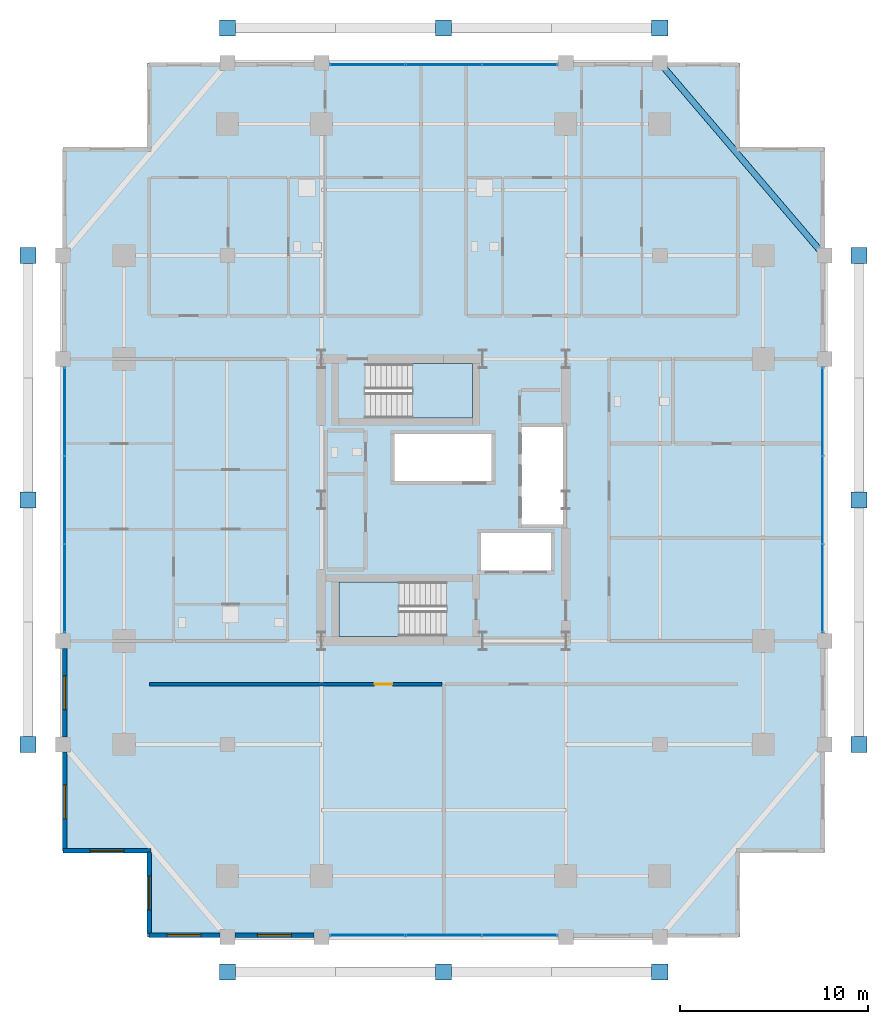
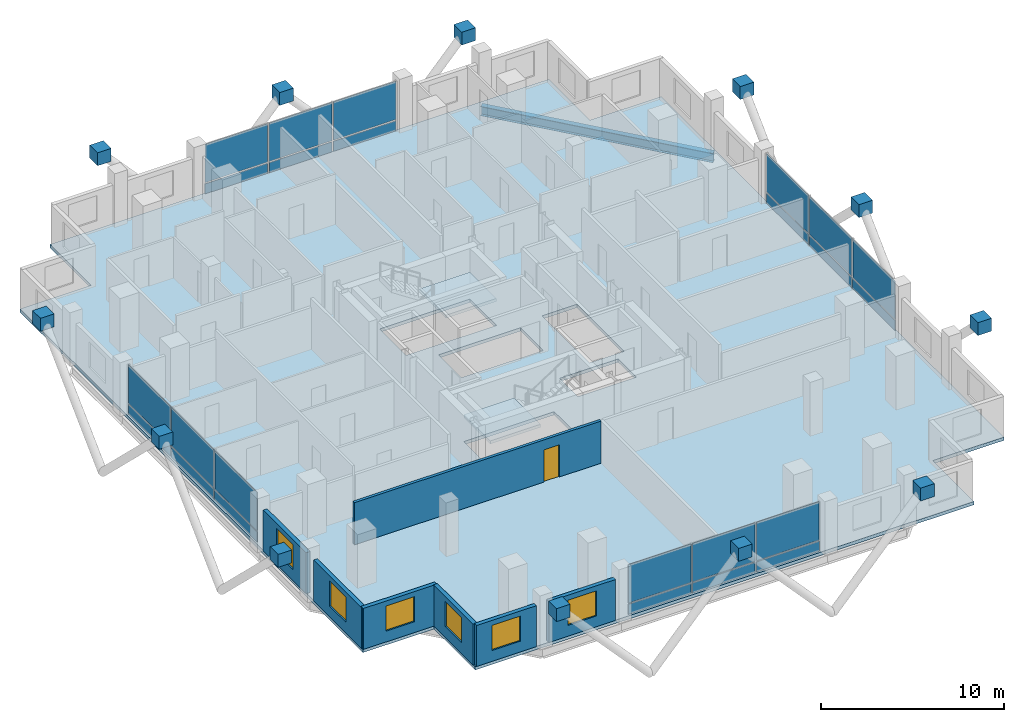
# One storey, part 16 of 22: 36 plates, 7 walls, 6 windows, 3 slabs, 1 beam, 1 door, 7 openings, 6 elements without a shape of their own.
"""IFC4 building model written with IfcOpenShell, lengths in metres."""

from ifc_helpers import new_model, si_unit, direction, frame, frame_2d, origin, origin_2d, place, context, subcontext, project, spatial, polyline, rectangle, i_section, outline, extrude, material, layer, layer_set, material_profile, profile_set, type_object, element, fill, aggregate, save


model = new_model("IFC4")

# Units and contexts
model_context = context("Model", 3, precision=1e-05, world=origin(), true_north=direction((0.0, 1.0)))
body_context = subcontext(model_context, "Body", "Model", "MODEL_VIEW")
ifc_project = project(units=[si_unit("LENGTHUNIT", "METRE"), si_unit("AREAUNIT", "SQUARE_METRE"), si_unit("VOLUMEUNIT", "CUBIC_METRE"), si_unit("PLANEANGLEUNIT", "RADIAN"), si_unit("MASSUNIT", "GRAM", prefix="KILO")], contexts=[model_context])

# Site, building, storey
site_placement = place(None, origin())
site = spatial("IfcSite", under=ifc_project, at=site_placement, CompositionType="ELEMENT")
building_placement = place(site_placement, origin())
building = spatial("IfcBuilding", under=site, at=building_placement, Name="Barlavira Tower and Art Museum", CompositionType="ELEMENT")
storey_placement = place(building_placement, frame((0.0, 0.0, 129.60009765625)))
storey = spatial("IfcBuildingStorey", under=building, at=storey_placement, Name="L32", CompositionType="ELEMENT", Elevation=129.60009765625)

# Beam
ifc_material_1 = material(Name="Steel S355", Category="steel")
ifc_material_profile = material_profile(ifc_material_1, i_section(OverallWidth=0.327880859375, OverallDepth=0.62890625, WebThickness=0.013916015625, FlangeThickness=0.021484375, at=origin_2d()), Name="W610x174.0")
ifc_profile_set = profile_set([ifc_material_profile], Name="Steel S355")
beam_type = type_object("IfcBeamType", Name="Perimeter Spandrel Edge Beam W610x174 Steel S355", PredefinedType="SPANDREL", material=ifc_profile_set)
beam_placement = place(storey_placement, frame((20.25, 13.0, -0.53466796875), z_axis=(-0.649262379928, 0.760564502202, 0.0), x_axis=(-0.760564502202, -0.649262379928, 0.0)))
element("IfcBeam", 1, at=beam_placement, inside=storey, type_object=beam_type, Name="L32 Spandrel 8", PredefinedType="SPANDREL", context=body_context, shape_type="SweptSolid", body=[
    extrude(i_section(OverallWidth=0.327880859375, OverallDepth=0.62890625, WebThickness=0.013916015625, FlangeThickness=0.021484375, at=origin_2d()), origin(), (0.0, 0.0, 1.0), 13.476806640625),
])

# Curtain wall, plates
ifc_material_2 = material(Name="Low-iron coastal laminated glass", Category="glass")
ifc_layer_1 = layer(ifc_material_2, 0.18994140625, Name="Low-iron coastal laminated glass")
ifc_layer_set_1 = layer_set([ifc_layer_1], Name="Low-iron coastal laminated glass")
curtain_wall_type = type_object("IfcCurtainWallType", Name="Pale-Metal Unitised Curtain Wall Zone 2", PredefinedType="NOTDEFINED", material=ifc_layer_set_1)
curtain_wall_1_placement = place(storey_placement, origin())
curtain_wall_1 = element("IfcCurtainWall", 2, at=curtain_wall_1_placement, inside=storey, type_object=curtain_wall_type, Name="L32 Curtain Wall CW2-L32-S-B3", PredefinedType="NOTDEFINED")
ifc_material_3 = material(Name="Pale anodised aluminium", Category="aluminium")
ifc_layer_2 = layer(ifc_material_3, 0.044921875, Name="Pale anodised aluminium")
ifc_layer_set_2 = layer_set([ifc_layer_2], Name="Pale anodised aluminium")
plate_type_1 = type_object("IfcPlateType", Name="Curtain Wall Pale-Metal Spandrel Panel 45", PredefinedType="CURTAIN_PANEL", material=ifc_layer_set_2)
plate_1_placement = place(storey_placement, frame((-4.05322265625, -23.14990234375, 0.039794921875), z_axis=(0.0, 0.0, 1.0), x_axis=(1.0, 0.0, 0.0)))
plate_1 = element("IfcPlate", 3, at=plate_1_placement, type_object=plate_type_1, Name="CW2-L32-S-B3 Spandrel Panel 0", PredefinedType="CURTAIN_PANEL", context=body_context, shape_type="SweptSolid", body=[
    extrude(rectangle(XDim=3.953369140625, YDim=0.044921875, at=origin_2d()), origin(), (0.0, 0.0, 1.0), 0.6640625),
])
plate_2_placement = place(storey_placement, frame((0.0, -23.14990234375, 0.039794921875), z_axis=(0.0, 0.0, 1.0), x_axis=(1.0, 0.0, 0.0)))
plate_2 = element("IfcPlate", 4, at=plate_2_placement, type_object=plate_type_1, Name="CW2-L32-S-B3 Spandrel Panel 1", PredefinedType="CURTAIN_PANEL", context=body_context, shape_type="SweptSolid", body=[
    extrude(rectangle(XDim=3.953369140625, YDim=0.044921875, at=origin_2d()), origin(), (0.0, 0.0, 1.0), 0.6640625),
])
plate_3_placement = place(storey_placement, frame((4.05322265625, -23.14990234375, 0.039794921875), z_axis=(0.0, 0.0, 1.0), x_axis=(1.0, 0.0, 0.0)))
plate_3 = element("IfcPlate", 5, at=plate_3_placement, type_object=plate_type_1, Name="CW2-L32-S-B3 Spandrel Panel 2", PredefinedType="CURTAIN_PANEL", context=body_context, shape_type="SweptSolid", body=[
    extrude(rectangle(XDim=3.953369140625, YDim=0.044921875, at=origin_2d()), origin(), (0.0, 0.0, 1.0), 0.6640625),
])

curtain_wall_2_placement = place(storey_placement, origin())
curtain_wall_2 = element("IfcCurtainWall", 6, at=curtain_wall_2_placement, inside=storey, type_object=curtain_wall_type, Name="L32 Curtain Wall CW2-L32-N-B3", PredefinedType="NOTDEFINED")
plate_4_placement = place(storey_placement, frame((4.05322265625, 23.14990234375, 0.039794921875), z_axis=(0.0, 0.0, 1.0), x_axis=(-1.0, 0.0, 0.0)))
plate_4 = element("IfcPlate", 7, at=plate_4_placement, type_object=plate_type_1, Name="CW2-L32-N-B3 Spandrel Panel 0", PredefinedType="CURTAIN_PANEL", context=body_context, shape_type="SweptSolid", body=[
    extrude(rectangle(XDim=3.953369140625, YDim=0.044921875, at=origin_2d()), origin(), (0.0, 0.0, 1.0), 0.6640625),
])
plate_5_placement = place(storey_placement, frame((0.0, 23.14990234375, 0.039794921875), z_axis=(0.0, 0.0, 1.0), x_axis=(-1.0, 0.0, 0.0)))
plate_5 = element("IfcPlate", 8, at=plate_5_placement, type_object=plate_type_1, Name="CW2-L32-N-B3 Spandrel Panel 1", PredefinedType="CURTAIN_PANEL", context=body_context, shape_type="SweptSolid", body=[
    extrude(rectangle(XDim=3.953369140625, YDim=0.044921875, at=origin_2d()), origin(), (0.0, 0.0, 1.0), 0.6640625),
])
plate_6_placement = place(storey_placement, frame((-4.05322265625, 23.14990234375, 0.039794921875), z_axis=(0.0, 0.0, 1.0), x_axis=(-1.0, 0.0, 0.0)))
plate_6 = element("IfcPlate", 9, at=plate_6_placement, type_object=plate_type_1, Name="CW2-L32-N-B3 Spandrel Panel 2", PredefinedType="CURTAIN_PANEL", context=body_context, shape_type="SweptSolid", body=[
    extrude(rectangle(XDim=3.953369140625, YDim=0.044921875, at=origin_2d()), origin(), (0.0, 0.0, 1.0), 0.6640625),
])

curtain_wall_3_placement = place(storey_placement, origin())
curtain_wall_3 = element("IfcCurtainWall", 10, at=curtain_wall_3_placement, inside=storey, type_object=curtain_wall_type, Name="L32 Curtain Wall CW2-L32-W-B3", PredefinedType="NOTDEFINED")
plate_7_placement = place(storey_placement, frame((-20.14990234375, 4.719970703125, 0.039794921875), z_axis=(0.0, 0.0, 1.0), x_axis=(0.0, -1.0, 0.0)))
plate_7 = element("IfcPlate", 11, at=plate_7_placement, type_object=plate_type_1, Name="CW2-L32-W-B3 Spandrel Panel 0", PredefinedType="CURTAIN_PANEL", context=body_context, shape_type="SweptSolid", body=[
    extrude(rectangle(XDim=4.6201171875, YDim=0.044921875, at=origin_2d()), origin(), (0.0, 0.0, 1.0), 0.6640625),
])
plate_8_placement = place(storey_placement, frame((-20.14990234375, 0.0, 0.039794921875), z_axis=(0.0, 0.0, 1.0), x_axis=(0.0, -1.0, 0.0)))
plate_8 = element("IfcPlate", 12, at=plate_8_placement, type_object=plate_type_1, Name="CW2-L32-W-B3 Spandrel Panel 1", PredefinedType="CURTAIN_PANEL", context=body_context, shape_type="SweptSolid", body=[
    extrude(rectangle(XDim=4.6201171875, YDim=0.044921875, at=origin_2d()), origin(), (0.0, 0.0, 1.0), 0.6640625),
])
plate_9_placement = place(storey_placement, frame((-20.14990234375, -4.719970703125, 0.039794921875), z_axis=(0.0, 0.0, 1.0), x_axis=(0.0, -1.0, 0.0)))
plate_9 = element("IfcPlate", 13, at=plate_9_placement, type_object=plate_type_1, Name="CW2-L32-W-B3 Spandrel Panel 2", PredefinedType="CURTAIN_PANEL", context=body_context, shape_type="SweptSolid", body=[
    extrude(rectangle(XDim=4.6201171875, YDim=0.044921875, at=origin_2d()), origin(), (0.0, 0.0, 1.0), 0.6640625),
])

curtain_wall_4_placement = place(storey_placement, origin())
curtain_wall_4 = element("IfcCurtainWall", 14, at=curtain_wall_4_placement, inside=storey, type_object=curtain_wall_type, Name="L32 Curtain Wall CW2-L32-E-B3", PredefinedType="NOTDEFINED")
plate_10_placement = place(storey_placement, frame((20.14990234375, -4.719970703125, 0.039794921875), z_axis=(0.0, 0.0, 1.0), x_axis=(0.0, 1.0, 0.0)))
plate_10 = element("IfcPlate", 15, at=plate_10_placement, type_object=plate_type_1, Name="CW2-L32-E-B3 Spandrel Panel 0", PredefinedType="CURTAIN_PANEL", context=body_context, shape_type="SweptSolid", body=[
    extrude(rectangle(XDim=4.6201171875, YDim=0.044921875, at=origin_2d()), origin(), (0.0, 0.0, 1.0), 0.6640625),
])
plate_11_placement = place(storey_placement, frame((20.14990234375, 0.0, 0.039794921875), z_axis=(0.0, 0.0, 1.0), x_axis=(0.0, 1.0, 0.0)))
plate_11 = element("IfcPlate", 16, at=plate_11_placement, type_object=plate_type_1, Name="CW2-L32-E-B3 Spandrel Panel 1", PredefinedType="CURTAIN_PANEL", context=body_context, shape_type="SweptSolid", body=[
    extrude(rectangle(XDim=4.6201171875, YDim=0.044921875, at=origin_2d()), origin(), (0.0, 0.0, 1.0), 0.6640625),
])
plate_12_placement = place(storey_placement, frame((20.14990234375, 4.719970703125, 0.039794921875), z_axis=(0.0, 0.0, 1.0), x_axis=(0.0, 1.0, 0.0)))
plate_12 = element("IfcPlate", 17, at=plate_12_placement, type_object=plate_type_1, Name="CW2-L32-E-B3 Spandrel Panel 2", PredefinedType="CURTAIN_PANEL", context=body_context, shape_type="SweptSolid", body=[
    extrude(rectangle(XDim=4.6201171875, YDim=0.044921875, at=origin_2d()), origin(), (0.0, 0.0, 1.0), 0.6640625),
])

# Plate
ifc_layer_3 = layer(ifc_material_2, 0.028076171875, Name="Low-iron coastal laminated glass")
ifc_layer_set_3 = layer_set([ifc_layer_3], Name="Low-iron coastal laminated glass")
plate_type_2 = type_object("IfcPlateType", Name="Curtain Wall Vision Glazing Panel 28", PredefinedType="CURTAIN_PANEL", material=ifc_layer_set_3)
plate_13_placement = place(storey_placement, frame((-4.05322265625, -23.14990234375, 0.7841796875), z_axis=(0.0, 0.0, 1.0), x_axis=(1.0, 0.0, 0.0)))
plate_13 = element("IfcPlate", 18, at=plate_13_placement, type_object=plate_type_2, Name="CW2-L32-S-B3 Vision Glass Panel 0", PredefinedType="CURTAIN_PANEL", context=body_context, shape_type="SweptSolid", body=[
    extrude(rectangle(XDim=3.953369140625, YDim=0.028076171875, at=origin_2d()), origin(), (0.0, 0.0, 1.0), 2.555908203125),
])

plate_14_placement = place(storey_placement, frame((0.0, -23.14990234375, 0.7841796875), z_axis=(0.0, 0.0, 1.0), x_axis=(1.0, 0.0, 0.0)))
plate_14 = element("IfcPlate", 19, at=plate_14_placement, type_object=plate_type_2, Name="CW2-L32-S-B3 Vision Glass Panel 1", PredefinedType="CURTAIN_PANEL", context=body_context, shape_type="SweptSolid", body=[
    extrude(rectangle(XDim=3.953369140625, YDim=0.028076171875, at=origin_2d()), origin(), (0.0, 0.0, 1.0), 2.555908203125),
])

plate_15_placement = place(storey_placement, frame((4.05322265625, -23.14990234375, 0.7841796875), z_axis=(0.0, 0.0, 1.0), x_axis=(1.0, 0.0, 0.0)))
plate_15 = element("IfcPlate", 20, at=plate_15_placement, type_object=plate_type_2, Name="CW2-L32-S-B3 Vision Glass Panel 2", PredefinedType="CURTAIN_PANEL", context=body_context, shape_type="SweptSolid", body=[
    extrude(rectangle(XDim=3.953369140625, YDim=0.028076171875, at=origin_2d()), origin(), (0.0, 0.0, 1.0), 2.555908203125),
])

aggregate(curtain_wall_1, [plate_1, plate_13, plate_2, plate_14, plate_3, plate_15])

plate_16_placement = place(storey_placement, frame((4.05322265625, 23.14990234375, 0.7841796875), z_axis=(0.0, 0.0, 1.0), x_axis=(-1.0, 0.0, 0.0)))
plate_16 = element("IfcPlate", 21, at=plate_16_placement, type_object=plate_type_2, Name="CW2-L32-N-B3 Vision Glass Panel 0", PredefinedType="CURTAIN_PANEL", context=body_context, shape_type="SweptSolid", body=[
    extrude(rectangle(XDim=3.953369140625, YDim=0.028076171875, at=origin_2d()), origin(), (0.0, 0.0, 1.0), 2.555908203125),
])

plate_17_placement = place(storey_placement, frame((0.0, 23.14990234375, 0.7841796875), z_axis=(0.0, 0.0, 1.0), x_axis=(-1.0, 0.0, 0.0)))
plate_17 = element("IfcPlate", 22, at=plate_17_placement, type_object=plate_type_2, Name="CW2-L32-N-B3 Vision Glass Panel 1", PredefinedType="CURTAIN_PANEL", context=body_context, shape_type="SweptSolid", body=[
    extrude(rectangle(XDim=3.953369140625, YDim=0.028076171875, at=origin_2d()), origin(), (0.0, 0.0, 1.0), 2.555908203125),
])

plate_18_placement = place(storey_placement, frame((-4.05322265625, 23.14990234375, 0.7841796875), z_axis=(0.0, 0.0, 1.0), x_axis=(-1.0, 0.0, 0.0)))
plate_18 = element("IfcPlate", 23, at=plate_18_placement, type_object=plate_type_2, Name="CW2-L32-N-B3 Vision Glass Panel 2", PredefinedType="CURTAIN_PANEL", context=body_context, shape_type="SweptSolid", body=[
    extrude(rectangle(XDim=3.953369140625, YDim=0.028076171875, at=origin_2d()), origin(), (0.0, 0.0, 1.0), 2.555908203125),
])

aggregate(curtain_wall_2, [plate_4, plate_16, plate_5, plate_17, plate_6, plate_18])

plate_19_placement = place(storey_placement, frame((-20.14990234375, 4.719970703125, 0.7841796875), z_axis=(0.0, 0.0, 1.0), x_axis=(0.0, -1.0, 0.0)))
plate_19 = element("IfcPlate", 24, at=plate_19_placement, type_object=plate_type_2, Name="CW2-L32-W-B3 Vision Glass Panel 0", PredefinedType="CURTAIN_PANEL", context=body_context, shape_type="SweptSolid", body=[
    extrude(rectangle(XDim=4.6201171875, YDim=0.028076171875, at=origin_2d()), origin(), (0.0, 0.0, 1.0), 2.555908203125),
])

plate_20_placement = place(storey_placement, frame((-20.14990234375, 0.0, 0.7841796875), z_axis=(0.0, 0.0, 1.0), x_axis=(0.0, -1.0, 0.0)))
plate_20 = element("IfcPlate", 25, at=plate_20_placement, type_object=plate_type_2, Name="CW2-L32-W-B3 Vision Glass Panel 1", PredefinedType="CURTAIN_PANEL", context=body_context, shape_type="SweptSolid", body=[
    extrude(rectangle(XDim=4.6201171875, YDim=0.028076171875, at=origin_2d()), origin(), (0.0, 0.0, 1.0), 2.555908203125),
])

plate_21_placement = place(storey_placement, frame((-20.14990234375, -4.719970703125, 0.7841796875), z_axis=(0.0, 0.0, 1.0), x_axis=(0.0, -1.0, 0.0)))
plate_21 = element("IfcPlate", 26, at=plate_21_placement, type_object=plate_type_2, Name="CW2-L32-W-B3 Vision Glass Panel 2", PredefinedType="CURTAIN_PANEL", context=body_context, shape_type="SweptSolid", body=[
    extrude(rectangle(XDim=4.6201171875, YDim=0.028076171875, at=origin_2d()), origin(), (0.0, 0.0, 1.0), 2.555908203125),
])

aggregate(curtain_wall_3, [plate_7, plate_19, plate_8, plate_20, plate_9, plate_21])

plate_22_placement = place(storey_placement, frame((20.14990234375, -4.719970703125, 0.7841796875), z_axis=(0.0, 0.0, 1.0), x_axis=(0.0, 1.0, 0.0)))
plate_22 = element("IfcPlate", 27, at=plate_22_placement, type_object=plate_type_2, Name="CW2-L32-E-B3 Vision Glass Panel 0", PredefinedType="CURTAIN_PANEL", context=body_context, shape_type="SweptSolid", body=[
    extrude(rectangle(XDim=4.6201171875, YDim=0.028076171875, at=origin_2d()), origin(), (0.0, 0.0, 1.0), 2.555908203125),
])

plate_23_placement = place(storey_placement, frame((20.14990234375, 0.0, 0.7841796875), z_axis=(0.0, 0.0, 1.0), x_axis=(0.0, 1.0, 0.0)))
plate_23 = element("IfcPlate", 28, at=plate_23_placement, type_object=plate_type_2, Name="CW2-L32-E-B3 Vision Glass Panel 1", PredefinedType="CURTAIN_PANEL", context=body_context, shape_type="SweptSolid", body=[
    extrude(rectangle(XDim=4.6201171875, YDim=0.028076171875, at=origin_2d()), origin(), (0.0, 0.0, 1.0), 2.555908203125),
])

plate_24_placement = place(storey_placement, frame((20.14990234375, 4.719970703125, 0.7841796875), z_axis=(0.0, 0.0, 1.0), x_axis=(0.0, 1.0, 0.0)))
plate_24 = element("IfcPlate", 29, at=plate_24_placement, type_object=plate_type_2, Name="CW2-L32-E-B3 Vision Glass Panel 2", PredefinedType="CURTAIN_PANEL", context=body_context, shape_type="SweptSolid", body=[
    extrude(rectangle(XDim=4.6201171875, YDim=0.028076171875, at=origin_2d()), origin(), (0.0, 0.0, 1.0), 2.555908203125),
])

aggregate(curtain_wall_4, [plate_10, plate_22, plate_11, plate_23, plate_12, plate_24])

# Plates
ifc_layer_4 = layer(ifc_material_1, 0.860107421875, Name="Steel S355")
ifc_layer_set_4 = layer_set([ifc_layer_4], Name="Steel S355")
plate_type_3 = type_object("IfcPlateType", Name="Exoskeleton Solid Steel Node Cap Plate Assembly Type 2 Steel S355", PredefinedType="USERDEFINED", material=ifc_layer_set_4)
for number, where, z_axis, x_axis, name in (
    (30, (-11.5, -25.10009765625, 3.0498046875), (0.0, 0.0, 1.0), (1.0, 0.0, 0.0), "Exoskeleton Node S ND-L32-0313"),
    (31, (0.0, -25.10009765625, 3.0498046875), (0.0, 0.0, 1.0), (1.0, 0.0, 0.0), "Exoskeleton Node S ND-L32-0314"),
    (32, (11.5, -25.10009765625, 3.0498046875), (0.0, 0.0, 1.0), (1.0, 0.0, 0.0), "Exoskeleton Node S ND-L32-0315"),
    (33, (-11.5, 25.10009765625, 3.0498046875), (0.0, 0.0, 1.0), (1.0, 0.0, 0.0), "Exoskeleton Node N ND-L32-0321"),
    (34, (0.0, 25.10009765625, 3.0498046875), (0.0, 0.0, 1.0), (1.0, 0.0, 0.0), "Exoskeleton Node N ND-L32-0322"),
    (35, (11.5, 25.10009765625, 3.0498046875), (0.0, 0.0, 1.0), (1.0, 0.0, 0.0), "Exoskeleton Node N ND-L32-0323"),
    (36, (-22.10009765625, -13.0, 3.0498046875), (0.0, 0.0, 1.0), (1.0, 0.0, 0.0), "Exoskeleton Node W ND-L32-0329"),
    (37, (-22.10009765625, 0.0, 3.0498046875), (0.0, 0.0, 1.0), (1.0, 0.0, 0.0), "Exoskeleton Node W ND-L32-0330"),
    (38, (-22.10009765625, 13.0, 3.0498046875), (0.0, 0.0, 1.0), (1.0, 0.0, 0.0), "Exoskeleton Node W ND-L32-0331"),
    (39, (22.10009765625, -13.0, 3.0498046875), (0.0, 0.0, 1.0), (1.0, 0.0, 0.0), "Exoskeleton Node E ND-L32-0337"),
    (40, (22.10009765625, 0.0, 3.0498046875), (0.0, 0.0, 1.0), (1.0, 0.0, 0.0), "Exoskeleton Node E ND-L32-0338"),
    (41, (22.10009765625, 13.0, 3.0498046875), (0.0, 0.0, 1.0), (1.0, 0.0, 0.0), "Exoskeleton Node E ND-L32-0339"),
):
    element("IfcPlate", number, at=place(storey_placement, frame(where, z_axis=z_axis, x_axis=x_axis)), inside=storey, type_object=plate_type_3, Name=name, ObjectType="FLANGE_PLATE", PredefinedType="USERDEFINED", context=body_context, shape_type="SweptSolid", body=[
        extrude(rectangle(XDim=0.860107421875, YDim=0.860107421875, at=origin_2d()), origin(), (0.0, 0.0, 1.0), 0.860107421875),
    ])

# Stair, slab
ifc_material_4 = material(Name="Concrete C45", Category="concrete")
stair_type_1 = type_object("IfcStairType", Name="Tower North Dog-Leg Exit Stair Assembly Concrete C45", PredefinedType="TWO_QUARTER_TURN_STAIR", material=ifc_material_4)
stair_1_placement = place(storey_placement, origin())
stair_1 = element("IfcStair", 42, at=stair_1_placement, inside=storey, type_object=stair_type_1, Name="L32 Tower North Exit Stair ST-T2", PredefinedType="TWO_QUARTER_TURN_STAIR")
ifc_layer_5 = layer(ifc_material_4, 0.199951171875, Name="Concrete C45")
ifc_layer_set_5 = layer_set([ifc_layer_5], Name="Concrete C45")
slab_type_1 = type_object("IfcSlabType", Name="Tower North Dog-Leg Exit Stair Half-Landing Slab 200 Concrete C45", PredefinedType="LANDING", material=ifc_layer_set_5)
slab_1_placement = place(storey_placement, frame((0.0, 0.0, 1.599853515625)))
slab_1 = element("IfcSlab", 43, at=slab_1_placement, type_object=slab_type_1, Name="ST-T2 landing 1", PredefinedType="LANDING", context=body_context, shape_type="SweptSolid", body=[
    extrude(outline(polyline([(-1.64990234375, 4.35009765625), (1.530029296875, 4.35009765625), (1.530029296875, 7.25), (-1.64990234375, 7.25), (-1.64990234375, 4.35009765625)])), origin(), (0.0, 0.0, 1.0), 0.199951171875),
])
aggregate(stair_1, [slab_1])

stair_type_2 = type_object("IfcStairType", Name="Tower South Dog-Leg Exit Stair Assembly Concrete C45", PredefinedType="TWO_QUARTER_TURN_STAIR", material=ifc_material_4)
stair_2_placement = place(storey_placement, origin())
stair_2 = element("IfcStair", 44, at=stair_2_placement, inside=storey, type_object=stair_type_2, Name="L32 Tower South Exit Stair ST-T1", PredefinedType="TWO_QUARTER_TURN_STAIR")
ifc_layer_6 = layer(ifc_material_4, 0.199951171875, Name="Concrete C45")
ifc_layer_set_6 = layer_set([ifc_layer_6], Name="Concrete C45")
slab_type_2 = type_object("IfcSlabType", Name="Tower South Dog-Leg Exit Stair Half-Landing Slab 200 Concrete C45", PredefinedType="LANDING", material=ifc_layer_set_6)
slab_2_placement = place(storey_placement, frame((0.0, 0.0, 1.599853515625)))
slab_2 = element("IfcSlab", 45, at=slab_2_placement, type_object=slab_type_2, Name="ST-T1 landing 1", PredefinedType="LANDING", context=body_context, shape_type="SweptSolid", body=[
    extrude(outline(polyline([(-2.3701171875, -4.35009765625), (-5.550048828125, -4.35009765625), (-5.550048828125, -7.25), (-2.3701171875, -7.25), (-2.3701171875, -4.35009765625)])), origin(), (0.0, 0.0, 1.0), 0.199951171875),
])
aggregate(stair_2, [slab_2])

# Slab
ifc_material_5 = material(Name="Concrete C50", Category="concrete")
ifc_layer_7 = layer(ifc_material_5, 0.2099609375, Name="Concrete C50")
ifc_layer_set_7 = layer_set([ifc_layer_7], Name="Concrete C50")
slab_type_3 = type_object("IfcSlabType", Name="Zone 2 Residential Composite Slab 210 Concrete C50", PredefinedType="FLOOR", material=ifc_layer_set_7)
slab_3_placement = place(storey_placement, frame((0.0, 0.0, -0.22021484375)))
element("IfcSlab", 46, at=slab_3_placement, inside=storey, type_object=slab_type_3, Name="L32 Tower Floor Slab", PredefinedType="FLOOR", context=body_context, shape_type="SweptSolid", body=[
    extrude(outline(polyline([(-15.75, -23.25), (15.75, -23.25), (15.75, -18.75), (20.25, -18.75), (20.25, 18.75), (15.75, 18.75), (15.75, 23.25), (-15.75, 23.25), (-15.75, 18.75), (-20.25, 18.75), (-20.25, -18.75), (-15.75, -18.75), (-15.75, -23.25)]), holes=[polyline([(0.14990234375, -4.35009765625), (-5.550048828125, -4.35009765625), (-5.550048828125, -7.25), (0.14990234375, -7.25), (0.14990234375, -4.35009765625)]), polyline([(-4.169921875, 4.35009765625), (1.530029296875, 4.35009765625), (1.530029296875, 7.25), (-4.169921875, 7.25), (-4.169921875, 4.35009765625)]), polyline([(4.14990234375, -1.2900390625), (6.35009765625, -1.2900390625), (6.35009765625, 3.889892578125), (4.14990234375, 3.889892578125), (4.14990234375, -1.2900390625)]), polyline([(-2.6201171875, 1.0), (2.56005859375, 1.0), (2.56005859375, 3.5), (-2.6201171875, 3.5), (-2.6201171875, 1.0)]), polyline([(2.0, -3.75), (5.699951171875, -3.75), (5.699951171875, -1.75), (2.0, -1.75), (2.0, -3.75)])]), origin(), (0.0, 0.0, 1.0), 0.22021484375),
])

# Wall, opening, door
ifc_material_6 = material(Name="Gypsum acoustic stud partition", Category="gypsum")
ifc_layer_8 = layer(ifc_material_6, 0.179931640625, Name="Gypsum acoustic stud partition")
ifc_layer_set_8 = layer_set([ifc_layer_8], Name="Gypsum acoustic stud partition")
wall_type_1 = type_object("IfcWallType", Name="Inter-Tenancy Party Partition Wall 180", PredefinedType="PARTITIONING", material=ifc_layer_set_8)
wall_1_placement = place(storey_placement, frame((-15.64990234375, -9.800048828125, 0.0), z_axis=(0.0, 0.0, 1.0), x_axis=(1.0, 0.0, 0.0)))
wall_1 = element("IfcWall", 47, at=wall_1_placement, inside=storey, type_object=wall_type_1, Name="L32 Partition Wall 19", PredefinedType="PARTITIONING", context=body_context, shape_type="SweptSolid", body=[
    extrude(rectangle(XDim=15.56982421875, YDim=0.179931640625, at=frame_2d((7.784912109375, 0.0))), origin(), (0.0, 0.0, 1.0), 2.81591796875),
])
opening_1_placement = place(wall_1_placement, frame((11.97509765625, 0.0, 0.0)))
opening_1 = element("IfcOpeningElement", 48, at=opening_1_placement, cuts=wall_1, Name="Opening FD-60", PredefinedType="OPENING", context=body_context, shape_type="SweptSolid", body=[
    extrude(rectangle(XDim=0.949951171875, YDim=2.14990234375, at=frame_2d((0.47509765625, 1.074951171875))), frame((0.0, 0.10009765625, 0.0), z_axis=(0.0, -1.0, 0.0), x_axis=(1.0, 0.0, 0.0)), (0.0, 0.0, 1.0), 0.199951171875),
])
ifc_material_7 = material(Name="Brushed stainless steel", Category="steel")
door_type = type_object("IfcDoorType", Name="Apartment Entrance and Riser Fire Door 950x2150 FD60S", OperationType="NOTDEFINED", PredefinedType="DOOR", material=ifc_material_7)
door_placement = place(opening_1_placement, origin())
door = element("IfcDoor", 49, at=door_placement, inside=storey, type_object=door_type, Name="Sky Transfer Concierge Lounge Door", OperationType="SINGLE_SWING_RIGHT", OverallHeight=2.14990234375, OverallWidth=0.949951171875, PredefinedType="DOOR", context=body_context, shape_type="SweptSolid", body=[
    extrude(rectangle(XDim=0.949951171875, YDim=2.14990234375, at=frame_2d((0.47509765625, 1.074951171875))), frame((0.0, 0.02490234375, 0.0), z_axis=(0.0, -1.0, 0.0), x_axis=(1.0, 0.0, 0.0)), (0.0, 0.0, 1.0), 0.050048828125),
])
fill(opening_1, door)

# Wall, opening, window
ifc_material_8 = material(Name="Precast concrete C40", Category="concrete")
ifc_layer_9 = layer(ifc_material_8, 0.25, Name="Precast concrete C40")
ifc_layer_set_9 = layer_set([ifc_layer_9], Name="Precast concrete C40")
wall_type_2 = type_object("IfcWallType", Name="Notched Corner Spandrel Wall 250 Precast Concrete C40", PredefinedType="SOLIDWALL", material=ifc_layer_set_9)
wall_2_placement = place(storey_placement, frame((-15.675048828125, -23.14990234375, 0.0), z_axis=(0.0, 0.0, 1.0), x_axis=(1.0, 0.0, 0.0)))
wall_2 = element("IfcWall", 50, at=wall_2_placement, inside=storey, type_object=wall_type_2, Name="L32 Coastal Facade Pier Wall CW2-L32-S-1", PredefinedType="SOLIDWALL", context=body_context, shape_type="SweptSolid", body=[
    extrude(rectangle(XDim=3.780029296875, YDim=0.25, at=frame_2d((1.89013671875, 0.0))), origin(), (0.0, 0.0, 1.0), 2.73583984375),
])
opening_2_placement = place(wall_2_placement, frame((0.968017578125, 0.0, 0.719970703125)))
opening_2 = element("IfcOpeningElement", 51, at=opening_2_placement, cuts=wall_2, Name="Opening WN-01", PredefinedType="OPENING", context=body_context, shape_type="SweptSolid", body=[
    extrude(rectangle(XDim=1.800048828125, YDim=1.679931640625, at=frame_2d((0.89990234375, 0.83984375))), frame((0.0, 0.135009765625, 0.0), z_axis=(0.0, -1.0, 0.0), x_axis=(1.0, 0.0, 0.0)), (0.0, 0.0, 1.0), 0.27001953125),
])
window_type = type_object("IfcWindowType", Name="Recessed Notch Corner Punch Window 1800x1680", PartitioningType="SINGLE_PANEL", PredefinedType="WINDOW", material=ifc_material_2)
window_1_placement = place(opening_2_placement, origin())
window_1 = element("IfcWindow", 52, at=window_1_placement, inside=storey, type_object=window_type, Name="L32 Punched Facade Window EWP-CW2-L32-S-1-1", OverallHeight=1.679931640625, OverallWidth=1.800048828125, PartitioningType="SINGLE_PANEL", PredefinedType="WINDOW", context=body_context, shape_type="SweptSolid", body=[
    extrude(rectangle(XDim=1.800048828125, YDim=1.679931640625, at=frame_2d((0.89990234375, 0.83984375))), frame((0.0, 0.030029296875, 0.0), z_axis=(0.0, -1.0, 0.0), x_axis=(1.0, 0.0, 0.0)), (0.0, 0.0, 1.0), 0.06005859375),
])
fill(opening_2, window_1)

wall_3_placement = place(storey_placement, frame((-11.10498046875, -23.14990234375, 0.0), z_axis=(0.0, 0.0, 1.0), x_axis=(1.0, 0.0, 0.0)))
wall_3 = element("IfcWall", 53, at=wall_3_placement, inside=storey, type_object=wall_type_2, Name="L32 Coastal Facade Pier Wall CW2-L32-S-2", PredefinedType="SOLIDWALL", context=body_context, shape_type="SweptSolid", body=[
    extrude(rectangle(XDim=4.2099609375, YDim=0.25, at=frame_2d((2.10498046875, 0.0))), origin(), (0.0, 0.0, 1.0), 2.73583984375),
])
opening_3_placement = place(wall_3_placement, frame((1.205078125, 0.0, 0.719970703125)))
opening_3 = element("IfcOpeningElement", 54, at=opening_3_placement, cuts=wall_3, Name="Opening WN-01", PredefinedType="OPENING", context=body_context, shape_type="SweptSolid", body=[
    extrude(rectangle(XDim=1.800048828125, YDim=1.679931640625, at=frame_2d((0.89990234375, 0.83984375))), frame((0.0, 0.135009765625, 0.0), z_axis=(0.0, -1.0, 0.0), x_axis=(1.0, 0.0, 0.0)), (0.0, 0.0, 1.0), 0.27001953125),
])
window_2_placement = place(opening_3_placement, origin())
window_2 = element("IfcWindow", 55, at=window_2_placement, inside=storey, type_object=window_type, Name="L32 Punched Facade Window EWP-CW2-L32-S-2-1", OverallHeight=1.679931640625, OverallWidth=1.800048828125, PartitioningType="SINGLE_PANEL", PredefinedType="WINDOW", context=body_context, shape_type="SweptSolid", body=[
    extrude(rectangle(XDim=1.800048828125, YDim=1.679931640625, at=frame_2d((0.89990234375, 0.83984375))), frame((0.0, 0.030029296875, 0.0), z_axis=(0.0, -1.0, 0.0), x_axis=(1.0, 0.0, 0.0)), (0.0, 0.0, 1.0), 0.06005859375),
])
fill(opening_3, window_2)

wall_4_placement = place(storey_placement, frame((-20.14990234375, -7.89501953125, 0.0), z_axis=(0.0, 0.0, 1.0), x_axis=(0.0, -1.0, 0.0)))
wall_4 = element("IfcWall", 56, at=wall_4_placement, inside=storey, type_object=wall_type_2, Name="L32 Coastal Facade Pier Wall CW2-L32-W-4", PredefinedType="SOLIDWALL", context=body_context, shape_type="SweptSolid", body=[
    extrude(rectangle(XDim=4.7099609375, YDim=0.25, at=frame_2d((2.35498046875, 0.0))), origin(), (0.0, 0.0, 1.0), 2.73583984375),
])
opening_4_placement = place(wall_4_placement, frame((1.455078125, 0.0, 0.719970703125)))
opening_4 = element("IfcOpeningElement", 57, at=opening_4_placement, cuts=wall_4, Name="Opening WN-01", PredefinedType="OPENING", context=body_context, shape_type="SweptSolid", body=[
    extrude(rectangle(XDim=1.800048828125, YDim=1.679931640625, at=frame_2d((0.89990234375, 0.83984375))), frame((0.0, 0.135009765625, 0.0), z_axis=(0.0, -1.0, 0.0), x_axis=(1.0, 0.0, 0.0)), (0.0, 0.0, 1.0), 0.27001953125),
])
window_3_placement = place(opening_4_placement, origin())
window_3 = element("IfcWindow", 58, at=window_3_placement, inside=storey, type_object=window_type, Name="L32 Punched Facade Window EWP-CW2-L32-W-4-1", OverallHeight=1.679931640625, OverallWidth=1.800048828125, PartitioningType="SINGLE_PANEL", PredefinedType="WINDOW", context=body_context, shape_type="SweptSolid", body=[
    extrude(rectangle(XDim=1.800048828125, YDim=1.679931640625, at=frame_2d((0.89990234375, 0.83984375))), frame((0.0, 0.030029296875, 0.0), z_axis=(0.0, -1.0, 0.0), x_axis=(1.0, 0.0, 0.0)), (0.0, 0.0, 1.0), 0.06005859375),
])
fill(opening_4, window_3)

wall_5_placement = place(storey_placement, frame((-20.14990234375, -13.39501953125, 0.0), z_axis=(0.0, 0.0, 1.0), x_axis=(0.0, -1.0, 0.0)))
wall_5 = element("IfcWall", 59, at=wall_5_placement, inside=storey, type_object=wall_type_2, Name="L32 Coastal Facade Pier Wall CW2-L32-W-5", PredefinedType="SOLIDWALL", context=body_context, shape_type="SweptSolid", body=[
    extrude(rectangle(XDim=5.280029296875, YDim=0.25, at=frame_2d((2.64013671875, 0.0))), origin(), (0.0, 0.0, 1.0), 2.73583984375),
])
opening_5_placement = place(wall_5_placement, frame((1.762939453125, 0.0, 0.719970703125)))
opening_5 = element("IfcOpeningElement", 60, at=opening_5_placement, cuts=wall_5, Name="Opening WN-01", PredefinedType="OPENING", context=body_context, shape_type="SweptSolid", body=[
    extrude(rectangle(XDim=1.800048828125, YDim=1.679931640625, at=frame_2d((0.89990234375, 0.83984375))), frame((0.0, 0.135009765625, 0.0), z_axis=(0.0, -1.0, 0.0), x_axis=(1.0, 0.0, 0.0)), (0.0, 0.0, 1.0), 0.27001953125),
])
window_4_placement = place(opening_5_placement, origin())
window_4 = element("IfcWindow", 61, at=window_4_placement, inside=storey, type_object=window_type, Name="L32 Punched Facade Window EWP-CW2-L32-W-5-1", OverallHeight=1.679931640625, OverallWidth=1.800048828125, PartitioningType="SINGLE_PANEL", PredefinedType="WINDOW", context=body_context, shape_type="SweptSolid", body=[
    extrude(rectangle(XDim=1.800048828125, YDim=1.679931640625, at=frame_2d((0.89990234375, 0.83984375))), frame((0.0, 0.030029296875, 0.0), z_axis=(0.0, -1.0, 0.0), x_axis=(1.0, 0.0, 0.0)), (0.0, 0.0, 1.0), 0.06005859375),
])
fill(opening_5, window_4)

wall_6_placement = place(storey_placement, frame((-20.22998046875, -18.64990234375, 0.0), z_axis=(0.0, 0.0, 1.0), x_axis=(1.0, 0.0, 0.0)))
wall_6 = element("IfcWall", 62, at=wall_6_placement, inside=storey, type_object=wall_type_2, Name="L32 Notch Corner Wall SW1", PredefinedType="SOLIDWALL", context=body_context, shape_type="SweptSolid", body=[
    extrude(rectangle(XDim=4.659912109375, YDim=0.25, at=frame_2d((2.330078125, 0.0))), origin(), (0.0, 0.0, 1.0), 2.73583984375),
])
opening_6_placement = place(wall_6_placement, frame((1.429931640625, 0.0, 0.719970703125)))
opening_6 = element("IfcOpeningElement", 63, at=opening_6_placement, cuts=wall_6, Name="Opening WN-01", PredefinedType="OPENING", context=body_context, shape_type="SweptSolid", body=[
    extrude(rectangle(XDim=1.800048828125, YDim=1.679931640625, at=frame_2d((0.89990234375, 0.83984375))), frame((0.0, 0.135009765625, 0.0), z_axis=(0.0, -1.0, 0.0), x_axis=(1.0, 0.0, 0.0)), (0.0, 0.0, 1.0), 0.27001953125),
])
window_5_placement = place(opening_6_placement, origin())
window_5 = element("IfcWindow", 64, at=window_5_placement, inside=storey, type_object=window_type, Name="L32 Punched Facade Window EW-NTC-L32-SW1-1", OverallHeight=1.679931640625, OverallWidth=1.800048828125, PartitioningType="SINGLE_PANEL", PredefinedType="WINDOW", context=body_context, shape_type="SweptSolid", body=[
    extrude(rectangle(XDim=1.800048828125, YDim=1.679931640625, at=frame_2d((0.89990234375, 0.83984375))), frame((0.0, 0.030029296875, 0.0), z_axis=(0.0, -1.0, 0.0), x_axis=(1.0, 0.0, 0.0)), (0.0, 0.0, 1.0), 0.06005859375),
])
fill(opening_6, window_5)

wall_7_placement = place(storey_placement, frame((-15.64990234375, -18.72998046875, 0.0), z_axis=(0.0, 0.0, 1.0), x_axis=(0.0, -1.0, 0.0)))
wall_7 = element("IfcWall", 65, at=wall_7_placement, inside=storey, type_object=wall_type_2, Name="L32 Notch Corner Wall SW2", PredefinedType="SOLIDWALL", context=body_context, shape_type="SweptSolid", body=[
    extrude(rectangle(XDim=4.340087890625, YDim=0.25, at=frame_2d((2.169921875, 0.0))), origin(), (0.0, 0.0, 1.0), 2.73583984375),
])
opening_7_placement = place(wall_7_placement, frame((1.27001953125, 0.0, 0.719970703125)))
opening_7 = element("IfcOpeningElement", 66, at=opening_7_placement, cuts=wall_7, Name="Opening WN-01", PredefinedType="OPENING", context=body_context, shape_type="SweptSolid", body=[
    extrude(rectangle(XDim=1.800048828125, YDim=1.679931640625, at=frame_2d((0.89990234375, 0.83984375))), frame((0.0, 0.135009765625, 0.0), z_axis=(0.0, -1.0, 0.0), x_axis=(1.0, 0.0, 0.0)), (0.0, 0.0, 1.0), 0.27001953125),
])
window_6_placement = place(opening_7_placement, origin())
window_6 = element("IfcWindow", 67, at=window_6_placement, inside=storey, type_object=window_type, Name="L32 Punched Facade Window EW-NTC-L32-SW2-1", OverallHeight=1.679931640625, OverallWidth=1.800048828125, PartitioningType="SINGLE_PANEL", PredefinedType="WINDOW", context=body_context, shape_type="SweptSolid", body=[
    extrude(rectangle(XDim=1.800048828125, YDim=1.679931640625, at=frame_2d((0.89990234375, 0.83984375))), frame((0.0, 0.030029296875, 0.0), z_axis=(0.0, -1.0, 0.0), x_axis=(1.0, 0.0, 0.0)), (0.0, 0.0, 1.0), 0.06005859375),
])
fill(opening_7, window_6)

save(model, "model.ifc")
